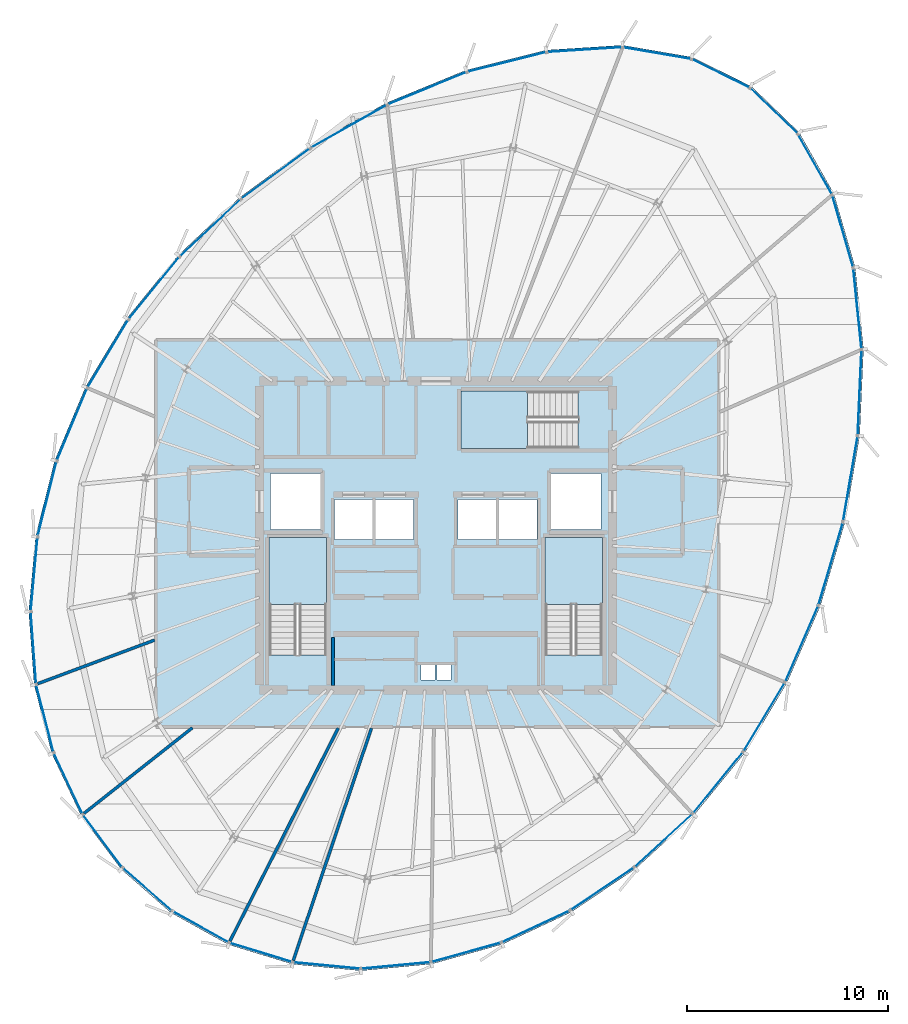
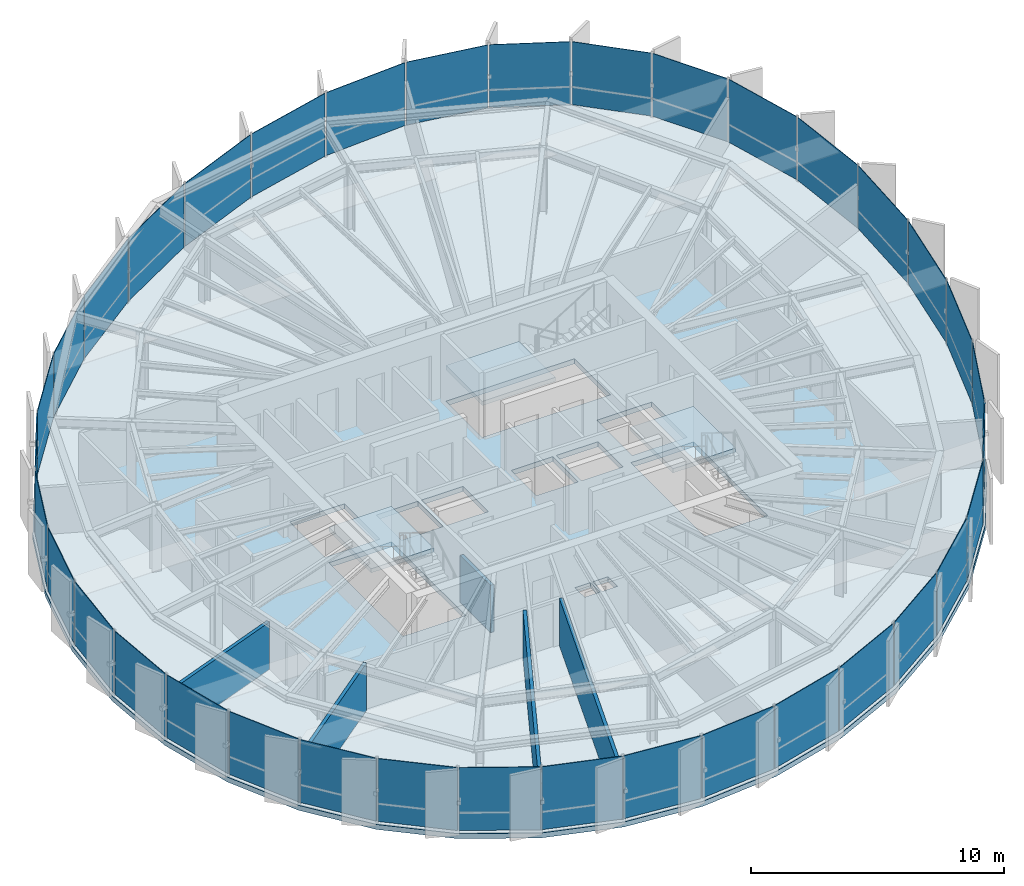
# One storey, part 26 of 33: 36 plates, 5 walls, 4 slabs, 9 elements without a shape of their own.
"""IFC4 building model written with IfcOpenShell, lengths in metres."""

from ifc_helpers import new_model, si_unit, direction, frame, frame_2d, origin, origin_2d, place, context, subcontext, project, spatial, polyline, rectangle, outline, extrude, source, transform, mapped, material, layer, layer_set, type_object, element, aggregate, save


model = new_model("IFC4")

# Units and contexts
model_context = context("Model", 3, precision=1e-05, world=origin(), true_north=direction((0.0, 1.0)))
body_context = subcontext(model_context, "Body", "Model", "MODEL_VIEW")
ifc_project = project(units=[si_unit("LENGTHUNIT", "METRE"), si_unit("AREAUNIT", "SQUARE_METRE"), si_unit("VOLUMEUNIT", "CUBIC_METRE"), si_unit("PLANEANGLEUNIT", "RADIAN"), si_unit("MASSUNIT", "GRAM", prefix="KILO"), si_unit("THERMODYNAMICTEMPERATUREUNIT", "KELVIN")], contexts=[model_context])

# Site, building, storey
site_placement = place(None, origin())
site = spatial("IfcSite", under=ifc_project, at=site_placement, CompositionType="ELEMENT")
building_placement = place(site_placement, origin())
building = spatial("IfcBuilding", under=site, at=building_placement, Name="Kethvar Cultural Tower", CompositionType="ELEMENT")
storey_placement = place(building_placement, frame((0.0, 0.0, 256.0)))
storey = spatial("IfcBuildingStorey", under=building, at=storey_placement, Name="L67", CompositionType="ELEMENT", Elevation=256.0)

# Stair, slab
ifc_material_1 = material(Name="Concrete C40/50", Category="concrete")
stair_type = type_object("IfcStairType", Name="ST-DOGLEG-135", PredefinedType="HALF_TURN_STAIR", material=ifc_material_1)
stair_1_placement = place(storey_placement, origin())
stair_1 = element("IfcStair", 1, at=stair_1_placement, inside=storey, type_object=stair_type, Name="L67 Core Exit Stair 1", PredefinedType="HALF_TURN_STAIR")
ifc_layer_1 = layer(ifc_material_1, 0.199951171875, Name="Concrete C40/50", Category="concrete")
ifc_layer_set_1 = layer_set([ifc_layer_1], Name="Concrete C40/50 (200 mm)")
slab_type_1 = type_object("IfcSlabType", Name="SL-STAIR-LANDING-200", PredefinedType="LANDING", material=ifc_layer_set_1)
slab_1_placement = place(storey_placement, frame((0.0, 0.0, 1.52490234375)))
slab_1 = element("IfcSlab", 2, at=slab_1_placement, type_object=slab_type_1, Name="ST-01 landing 1", PredefinedType="LANDING", context=body_context, shape_type="SweptSolid", body=[
    extrude(outline(polyline([(41.35009765625, 24.3701171875), (41.35009765625, 27.699951171875), (38.489990234375, 27.699951171875), (38.489990234375, 24.3701171875), (41.35009765625, 24.3701171875)])), origin(), (0.0, 0.0, 1.0), 0.2001953125),
])
aggregate(stair_1, [slab_1])

stair_2_placement = place(storey_placement, origin())
stair_2 = element("IfcStair", 3, at=stair_2_placement, inside=storey, type_object=stair_type, Name="L67 Core Exit Stair 2", PredefinedType="HALF_TURN_STAIR")
slab_2_placement = place(storey_placement, frame((0.0, 0.0, 1.52490234375)))
slab_2 = element("IfcSlab", 4, at=slab_2_placement, type_object=slab_type_1, Name="ST-02 landing 1", PredefinedType="LANDING", context=body_context, shape_type="SweptSolid", body=[
    extrude(outline(polyline([(55.110107421875, 24.3701171875), (55.110107421875, 27.699951171875), (52.25, 27.699951171875), (52.25, 24.3701171875), (55.110107421875, 24.3701171875)])), origin(), (0.0, 0.0, 1.0), 0.2001953125),
])
aggregate(stair_2, [slab_2])

stair_3_placement = place(storey_placement, origin())
stair_3 = element("IfcStair", 5, at=stair_3_placement, inside=storey, type_object=stair_type, Name="L67 Core Exit Stair 3", PredefinedType="HALF_TURN_STAIR")
slab_3_placement = place(storey_placement, frame((0.0, 0.0, 1.52490234375)))
slab_3 = element("IfcSlab", 6, at=slab_3_placement, type_object=slab_type_1, Name="ST-03 landing 1", PredefinedType="LANDING", context=body_context, shape_type="SweptSolid", body=[
    extrude(outline(polyline([(51.3798828125, 35.010009765625), (48.050048828125, 35.010009765625), (48.050048828125, 32.14990234375), (51.3798828125, 32.14990234375), (51.3798828125, 35.010009765625)])), origin(), (0.0, 0.0, 1.0), 0.2001953125),
])
aggregate(stair_3, [slab_3])

# Slab
ifc_layer_2 = layer(ifc_material_1, 0.239990234375, Name="Concrete C40/50", Category="concrete")
ifc_layer_set_2 = layer_set([ifc_layer_2], Name="Concrete C40/50 (240 mm)")
slab_type_2 = type_object("IfcSlabType", Name="SL-TOW-240", PredefinedType="FLOOR", material=ifc_layer_set_2)
slab_4_placement = place(storey_placement, frame((0.0, 0.0, -0.239990234375)))
element("IfcSlab", 7, at=slab_4_placement, inside=storey, type_object=slab_type_2, Name="L67 Structural Floor Slab", PredefinedType="FLOOR", context=body_context, shape_type="SweptSolid", body=[
    extrude(outline(polyline([(62.546142578125, 50.20458984375), (59.573486328125, 51.6650390625), (56.1123046875, 52.257568359375), (52.3037109375, 52.014892578125), (48.314697265625, 51.018310546875), (44.32421875, 49.37939453125), (40.5048828125, 47.221435546875), (37.00732421875, 44.65869140625), (33.9453125, 41.7802734375), (31.384521484375, 38.63427734375), (29.323486328125, 35.204345703125), (27.7939453125, 31.54931640625), (26.841552734375, 27.780517578125), (26.495849609375, 24.01220703125), (26.766845703125, 20.35888671875), (27.646728515625, 16.931884765625), (29.1083984375, 13.8349609375), (31.107666015625, 11.162353515625), (33.583740234375, 8.995361328125), (36.46142578125, 7.399658203125), (39.6533203125, 6.423828125), (43.062255859375, 6.097412109375), (46.584716796875, 6.4306640625), (50.114013671875, 7.4130859375), (53.542236328125, 9.014892578125), (56.765625, 11.1875), (59.6865234375, 13.864990234375), (62.215576171875, 16.9658203125), (64.30810546875, 20.44091796875), (65.979248046875, 24.297119140625), (67.20556640625, 28.4560546875), (67.9423828125, 32.780517578125), (68.132568359375, 37.090087890625), (67.71923828125, 41.1806640625), (66.6572265625, 44.846435546875), (64.92724609375, 47.90234375), (62.546142578125, 50.20458984375)]), holes=[polyline([(38.489990234375, 21.85009765625), (38.489990234375, 27.699951171875), (41.35009765625, 27.699951171875), (41.35009765625, 21.85009765625), (38.489990234375, 21.85009765625)]), polyline([(52.25, 21.85009765625), (52.25, 27.699951171875), (55.110107421875, 27.699951171875), (55.110107421875, 21.85009765625), (52.25, 21.85009765625)]), polyline([(53.89990234375, 32.14990234375), (48.050048828125, 32.14990234375), (48.050048828125, 35.010009765625), (53.89990234375, 35.010009765625), (53.89990234375, 32.14990234375)]), polyline([(41.75, 29.60009765625), (43.64990234375, 29.60009765625), (43.64990234375, 27.60009765625), (41.75, 27.60009765625), (41.75, 29.60009765625)]), polyline([(43.800048828125, 29.60009765625), (45.699951171875, 29.60009765625), (45.699951171875, 27.60009765625), (43.800048828125, 27.60009765625), (43.800048828125, 29.60009765625)]), polyline([(47.89990234375, 29.60009765625), (49.800048828125, 29.60009765625), (49.800048828125, 27.60009765625), (47.89990234375, 27.60009765625), (47.89990234375, 29.60009765625)]), polyline([(49.949951171875, 29.60009765625), (51.85009765625, 29.60009765625), (51.85009765625, 27.60009765625), (49.949951171875, 27.60009765625), (49.949951171875, 29.60009765625)]), polyline([(38.550048828125, 30.89990234375), (41.050048828125, 30.89990234375), (41.050048828125, 28.10009765625), (38.550048828125, 28.10009765625), (38.550048828125, 30.89990234375)]), polyline([(52.550048828125, 30.89990234375), (55.050048828125, 30.89990234375), (55.050048828125, 28.10009765625), (52.550048828125, 28.10009765625), (52.550048828125, 30.89990234375)]), polyline([(46.050048828125, 21.35009765625), (46.75, 21.35009765625), (46.75, 20.60009765625), (46.050048828125, 20.60009765625), (46.050048828125, 21.35009765625)]), polyline([(46.85009765625, 21.35009765625), (47.550048828125, 21.35009765625), (47.550048828125, 20.60009765625), (46.85009765625, 20.60009765625), (46.85009765625, 21.35009765625)])]), origin(), (0.0, 0.0, 1.0), 0.239990234375),
])

# Curtain wall, plate
ifc_material_2 = material(Name="Aluminium 6063-T6", Category="aluminium")
ifc_layer_3 = layer(ifc_material_2, 0.179931640625, Name="Aluminium 6063-T6", Category="aluminium")
ifc_layer_set_3 = layer_set([ifc_layer_3], Name="Aluminium 6063-T6 (180 mm)")
curtain_wall_type = type_object("IfcCurtainWallType", Name="CW-SYS-05-Z56", PredefinedType="NOTDEFINED", material=ifc_layer_set_3)
curtain_wall_1_placement = place(storey_placement, origin())
curtain_wall_1 = element("IfcCurtainWall", 8, at=curtain_wall_1_placement, inside=storey, type_object=curtain_wall_type, Name="L67 Curtain Wall Run 01", PredefinedType="NOTDEFINED")
ifc_material_3 = material(Name="Insulated Low-E Solar Glass", Category="glass")
ifc_layer_4 = layer(ifc_material_3, 0.028076171875, Name="Insulated Low-E Solar Glass", Category="glass")
ifc_layer_set_4 = layer_set([ifc_layer_4], Name="Insulated Low-E Solar Glass (28 mm)")
plate_type = type_object("IfcPlateType", Name="CW-SYS-05-Z56-PNL", PredefinedType="CURTAIN_PANEL", material=ifc_layer_set_4)
shared_shape_1 = source(origin(), body_context, "Body", "SweptSolid", [
    extrude(rectangle(XDim=4.0322265625, YDim=0.028076171875, at=origin_2d()), origin(), (0.0, 0.0, 1.0), 3.030029296875),
])
plate_1_placement = place(storey_placement, frame((50.33349609375, 51.419677734375, 0.08984375), z_axis=(0.0, 0.0, 1.0), x_axis=(-0.97017315432, -0.24241297539, 0.0)))
plate_1 = element("IfcPlate", 9, at=plate_1_placement, type_object=plate_type, Name="CW-L67-R01 Vision Glazing Panel 4", PredefinedType="CURTAIN_PANEL", context=body_context, shape_type="MappedRepresentation", body=[
    mapped(shared_shape_1, transform((0.0, 0.0, 0.0), scale=1.0)),
])

curtain_wall_2_placement = place(storey_placement, origin())
curtain_wall_2 = element("IfcCurtainWall", 10, at=curtain_wall_2_placement, inside=storey, type_object=curtain_wall_type, Name="L67 Curtain Wall Run 06", PredefinedType="NOTDEFINED")
plate_2_placement = place(storey_placement, frame((67.826416015625, 39.125244140625, 0.08984375), z_axis=(0.0, 0.0, 1.0), x_axis=(-0.100552729883, 0.994931730579, 0.0)))
plate_2 = element("IfcPlate", 11, at=plate_2_placement, type_object=plate_type, Name="CW-L67-R06 Vision Glazing Panel 3", PredefinedType="CURTAIN_PANEL", context=body_context, shape_type="MappedRepresentation", body=[
    mapped(shared_shape_1, transform((0.0, 0.0, 0.0), scale=1.0)),
])

curtain_wall_3_placement = place(storey_placement, origin())
curtain_wall_3 = element("IfcCurtainWall", 12, at=curtain_wall_3_placement, inside=storey, type_object=curtain_wall_type, Name="L67 Curtain Wall Run 02", PredefinedType="NOTDEFINED")
shared_shape_2 = source(origin(), body_context, "Body", "SweptSolid", [
    extrude(rectangle(XDim=4.257080078125, YDim=0.028076171875, at=origin_2d()), origin(), (0.0, 0.0, 1.0), 3.030029296875),
])
plate_3_placement = place(storey_placement, frame((38.815185546875, 45.859375, 0.08984375), z_axis=(0.0, 0.0, 1.0), x_axis=(-0.806640645628, -0.591042188698, 0.0)))
plate_3 = element("IfcPlate", 13, at=plate_3_placement, type_object=plate_type, Name="CW-L67-R02 Vision Glazing Panel 1", PredefinedType="CURTAIN_PANEL", context=body_context, shape_type="MappedRepresentation", body=[
    mapped(shared_shape_2, transform((0.0, 0.0, 0.0), scale=1.0)),
])

# Plate
shared_shape_3 = source(origin(), body_context, "Body", "SweptSolid", [
    extrude(rectangle(XDim=4.3076171875, YDim=0.028076171875, at=origin_2d()), origin(), (0.0, 0.0, 1.0), 3.030029296875),
])
plate_4_placement = place(storey_placement, frame((42.4638671875, 48.21337890625, 0.08984375), z_axis=(0.0, 0.0, 1.0), x_axis=(-0.870639167174, -0.491922189561, 0.0)))
plate_4 = element("IfcPlate", 14, at=plate_4_placement, type_object=plate_type, Name="CW-L67-R01 Vision Glazing Panel 6", PredefinedType="CURTAIN_PANEL", context=body_context, shape_type="MappedRepresentation", body=[
    mapped(shared_shape_3, transform((0.0, 0.0, 0.0), scale=1.0)),
])

plate_5_placement = place(storey_placement, frame((67.475341796875, 30.635009765625, 0.08984375), z_axis=(0.0, 0.0, 1.0), x_axis=(0.167938832644, 0.985797417571, 0.0)))
plate_5 = element("IfcPlate", 15, at=plate_5_placement, type_object=plate_type, Name="CW-L67-R06 Vision Glazing Panel 1", PredefinedType="CURTAIN_PANEL", context=body_context, shape_type="MappedRepresentation", body=[
    mapped(shared_shape_3, transform((0.0, 0.0, 0.0), scale=1.0)),
])

shared_shape_4 = source(origin(), body_context, "Body", "SweptSolid", [
    extrude(rectangle(XDim=3.23291015625, YDim=0.028076171875, at=origin_2d()), origin(), (0.0, 0.0, 1.0), 3.030029296875),
])
plate_6_placement = place(storey_placement, frame((61.015625, 50.84521484375, 0.08984375), z_axis=(0.0, 0.0, 1.0), x_axis=(-0.897535598853, 0.440942001619, 0.0)))
plate_6 = element("IfcPlate", 16, at=plate_6_placement, type_object=plate_type, Name="CW-L67-R01 Vision Glazing Panel 1", PredefinedType="CURTAIN_PANEL", context=body_context, shape_type="MappedRepresentation", body=[
    mapped(shared_shape_4, transform((0.0, 0.0, 0.0), scale=1.0)),
])

plate_7_placement = place(storey_placement, frame((63.667236328125, 48.9814453125, 0.08984375), z_axis=(0.0, 0.0, 1.0), x_axis=(-0.718903191649, 0.695110207836, 0.0)))
plate_7 = element("IfcPlate", 17, at=plate_7_placement, type_object=plate_type, Name="CW-L67-R06 Vision Glazing Panel 6", PredefinedType="CURTAIN_PANEL", context=body_context, shape_type="MappedRepresentation", body=[
    mapped(shared_shape_4, transform((0.0, 0.0, 0.0), scale=1.0)),
])

shared_shape_5 = source(origin(), body_context, "Body", "SweptSolid", [
    extrude(rectangle(XDim=3.432373046875, YDim=0.028076171875, at=origin_2d()), origin(), (0.0, 0.0, 1.0), 3.030029296875),
])
plate_8_placement = place(storey_placement, frame((57.826171875, 51.86279296875, 0.08984375), z_axis=(0.0, 0.0, 1.0), x_axis=(-0.985656379545, 0.168764633328, 0.0)))
plate_8 = element("IfcPlate", 18, at=plate_8_placement, type_object=plate_type, Name="CW-L67-R01 Vision Glazing Panel 2", PredefinedType="CURTAIN_PANEL", context=body_context, shape_type="MappedRepresentation", body=[
    mapped(shared_shape_5, transform((0.0, 0.0, 0.0), scale=1.0)),
])

plate_9_placement = place(storey_placement, frame((65.705322265625, 46.3251953125, 0.08984375), z_axis=(0.0, 0.0, 1.0), x_axis=(-0.492636213417, 0.870235348185, 0.0)))
plate_9 = element("IfcPlate", 19, at=plate_9_placement, type_object=plate_type, Name="CW-L67-R06 Vision Glazing Panel 5", PredefinedType="CURTAIN_PANEL", context=body_context, shape_type="MappedRepresentation", body=[
    mapped(shared_shape_5, transform((0.0, 0.0, 0.0), scale=1.0)),
])

shared_shape_6 = source(origin(), body_context, "Body", "SweptSolid", [
    extrude(rectangle(XDim=3.7373046875, YDim=0.028076171875, at=origin_2d()), origin(), (0.0, 0.0, 1.0), 3.030029296875),
])
plate_10_placement = place(storey_placement, frame((54.21435546875, 52.03662109375, 0.08984375), z_axis=(0.0, 0.0, 1.0), x_axis=(-0.997977105058, -0.063574348442, 0.0)))
plate_10 = element("IfcPlate", 20, at=plate_10_placement, type_object=plate_type, Name="CW-L67-R01 Vision Glazing Panel 3", PredefinedType="CURTAIN_PANEL", context=body_context, shape_type="MappedRepresentation", body=[
    mapped(shared_shape_6, transform((0.0, 0.0, 0.0), scale=1.0)),
])

plate_11_placement = place(storey_placement, frame((67.09228515625, 42.985595703125, 0.08984375), z_axis=(0.0, 0.0, 1.0), x_axis=(-0.278270335214, 0.960502795696, 0.0)))
plate_11 = element("IfcPlate", 21, at=plate_11_placement, type_object=plate_type, Name="CW-L67-R06 Vision Glazing Panel 4", PredefinedType="CURTAIN_PANEL", context=body_context, shape_type="MappedRepresentation", body=[
    mapped(shared_shape_6, transform((0.0, 0.0, 0.0), scale=1.0)),
])

shared_shape_7 = source(origin(), body_context, "Body", "SweptSolid", [
    extrude(rectangle(XDim=4.23486328125, YDim=0.028076171875, at=origin_2d()), origin(), (0.0, 0.0, 1.0), 3.030029296875),
])
plate_12_placement = place(storey_placement, frame((46.357421875, 50.1064453125, 0.08984375), z_axis=(0.0, 0.0, 1.0), x_axis=(-0.925024170652, -0.379908256964, 0.0)))
plate_12 = element("IfcPlate", 22, at=plate_12_placement, type_object=plate_type, Name="CW-L67-R01 Vision Glazing Panel 5", PredefinedType="CURTAIN_PANEL", context=body_context, shape_type="MappedRepresentation", body=[
    mapped(shared_shape_7, transform((0.0, 0.0, 0.0), scale=1.0)),
])

aggregate(curtain_wall_1, [plate_6, plate_8, plate_10, plate_1, plate_12, plate_4])

shared_shape_8 = source(origin(), body_context, "Body", "SweptSolid", [
    extrude(rectangle(XDim=4.123291015625, YDim=0.028076171875, at=origin_2d()), origin(), (0.0, 0.0, 1.0), 3.030029296875),
])
plate_13_placement = place(storey_placement, frame((35.544921875, 43.146728515625, 0.08984375), z_axis=(0.0, 0.0, 1.0), x_axis=(-0.728610099486, -0.684928699156, 0.0)))
plate_13 = element("IfcPlate", 23, at=plate_13_placement, type_object=plate_type, Name="CW-L67-R02 Vision Glazing Panel 2", PredefinedType="CURTAIN_PANEL", context=body_context, shape_type="MappedRepresentation", body=[
    mapped(shared_shape_8, transform((0.0, 0.0, 0.0), scale=1.0)),
])

# Curtain wall, plate
curtain_wall_4_placement = place(storey_placement, origin())
curtain_wall_4 = element("IfcCurtainWall", 24, at=curtain_wall_4_placement, inside=storey, type_object=curtain_wall_type, Name="L67 Curtain Wall Run 05", PredefinedType="NOTDEFINED")
plate_14_placement = place(storey_placement, frame((65.052001953125, 22.40869140625, 0.08984375), z_axis=(0.0, 0.0, 1.0), x_axis=(0.397628371371, 0.91754655374, 0.0)))
plate_14 = element("IfcPlate", 25, at=plate_14_placement, type_object=plate_type, Name="CW-L67-R05 Vision Glazing Panel 5", PredefinedType="CURTAIN_PANEL", context=body_context, shape_type="MappedRepresentation", body=[
    mapped(shared_shape_8, transform((0.0, 0.0, 0.0), scale=1.0)),
])

# Plate
shared_shape_9 = source(origin(), body_context, "Body", "SweptSolid", [
    extrude(rectangle(XDim=3.977294921875, YDim=0.028076171875, at=origin_2d()), origin(), (0.0, 0.0, 1.0), 3.030029296875),
])
plate_15_placement = place(storey_placement, frame((32.742431640625, 40.144287109375, 0.08984375), z_axis=(0.0, 0.0, 1.0), x_axis=(-0.631298654095, -0.775539818022, 0.0)))
plate_15 = element("IfcPlate", 26, at=plate_15_placement, type_object=plate_type, Name="CW-L67-R02 Vision Glazing Panel 3", PredefinedType="CURTAIN_PANEL", context=body_context, shape_type="MappedRepresentation", body=[
    mapped(shared_shape_9, transform((0.0, 0.0, 0.0), scale=1.0)),
])

shared_shape_10 = source(origin(), body_context, "Body", "SweptSolid", [
    extrude(rectangle(XDim=3.92236328125, YDim=0.028076171875, at=origin_2d()), origin(), (0.0, 0.0, 1.0), 3.030029296875),
])
plate_16_placement = place(storey_placement, frame((30.439697265625, 36.867919921875, 0.08984375), z_axis=(0.0, 0.0, 1.0), x_axis=(-0.515008153813, -0.8571852784, 0.0)))
plate_16 = element("IfcPlate", 27, at=plate_16_placement, type_object=plate_type, Name="CW-L67-R02 Vision Glazing Panel 4", PredefinedType="CURTAIN_PANEL", context=body_context, shape_type="MappedRepresentation", body=[
    mapped(shared_shape_10, transform((0.0, 0.0, 0.0), scale=1.0)),
])

shared_shape_11 = source(origin(), body_context, "Body", "SweptSolid", [
    extrude(rectangle(XDim=3.883056640625, YDim=0.028076171875, at=origin_2d()), origin(), (0.0, 0.0, 1.0), 3.030029296875),
])
plate_17_placement = place(storey_placement, frame((28.65087890625, 33.338134765625, 0.08984375), z_axis=(0.0, 0.0, 1.0), x_axis=(-0.386067049717, -0.922470722095, 0.0)))
plate_17 = element("IfcPlate", 28, at=plate_17_placement, type_object=plate_type, Name="CW-L67-R02 Vision Glazing Panel 5", PredefinedType="CURTAIN_PANEL", context=body_context, shape_type="MappedRepresentation", body=[
    mapped(shared_shape_11, transform((0.0, 0.0, 0.0), scale=1.0)),
])

plate_18_placement = place(storey_placement, frame((58.158447265625, 12.599853515625, 0.08984375), z_axis=(0.0, 0.0, 1.0), x_axis=(0.737159412846, 0.675718876495, 0.0)))
plate_18 = element("IfcPlate", 29, at=plate_18_placement, type_object=plate_type, Name="CW-L67-R05 Vision Glazing Panel 2", PredefinedType="CURTAIN_PANEL", context=body_context, shape_type="MappedRepresentation", body=[
    mapped(shared_shape_11, transform((0.0, 0.0, 0.0), scale=1.0)),
])

shared_shape_12 = source(origin(), body_context, "Body", "SweptSolid", [
    extrude(rectangle(XDim=3.80810546875, YDim=0.028076171875, at=origin_2d()), origin(), (0.0, 0.0, 1.0), 3.030029296875),
])
plate_19_placement = place(storey_placement, frame((27.414794921875, 29.640380859375, 0.08984375), z_axis=(0.0, 0.0, 1.0), x_axis=(-0.244968970675, -0.969530919263, 0.0)))
plate_19 = element("IfcPlate", 30, at=plate_19_placement, type_object=plate_type, Name="CW-L67-R02 Vision Glazing Panel 6", PredefinedType="CURTAIN_PANEL", context=body_context, shape_type="MappedRepresentation", body=[
    mapped(shared_shape_12, transform((0.0, 0.0, 0.0), scale=1.0)),
])

aggregate(curtain_wall_3, [plate_3, plate_13, plate_15, plate_16, plate_17, plate_19])

plate_20_placement = place(storey_placement, frame((55.09814453125, 10.18408203125, 0.08984375), z_axis=(0.0, 0.0, 1.0), x_axis=(0.829242471769, 0.558889007777, 0.0)))
plate_20 = element("IfcPlate", 31, at=plate_20_placement, type_object=plate_type, Name="CW-L67-R05 Vision Glazing Panel 1", PredefinedType="CURTAIN_PANEL", context=body_context, shape_type="MappedRepresentation", body=[
    mapped(shared_shape_12, transform((0.0, 0.0, 0.0), scale=1.0)),
])

# Curtain wall, plate
curtain_wall_5_placement = place(storey_placement, origin())
curtain_wall_5 = element("IfcCurtainWall", 32, at=curtain_wall_5_placement, inside=storey, type_object=curtain_wall_type, Name="L67 Curtain Wall Run 03", PredefinedType="NOTDEFINED")
shared_shape_13 = source(origin(), body_context, "Body", "SweptSolid", [
    extrude(rectangle(XDim=3.704833984375, YDim=0.028076171875, at=origin_2d()), origin(), (0.0, 0.0, 1.0), 3.030029296875),
])
plate_21_placement = place(storey_placement, frame((26.768310546875, 25.88720703125, 0.08984375), z_axis=(0.0, 0.0, 1.0), x_axis=(-0.091379957458, -0.995816099174, 0.0)))
plate_21 = element("IfcPlate", 33, at=plate_21_placement, type_object=plate_type, Name="CW-L67-R03 Vision Glazing Panel 1", PredefinedType="CURTAIN_PANEL", context=body_context, shape_type="MappedRepresentation", body=[
    mapped(shared_shape_13, transform((0.0, 0.0, 0.0), scale=1.0)),
])

curtain_wall_6_placement = place(storey_placement, origin())
curtain_wall_6 = element("IfcCurtainWall", 34, at=curtain_wall_6_placement, inside=storey, type_object=curtain_wall_type, Name="L67 Curtain Wall Run 04", PredefinedType="NOTDEFINED")
plate_22_placement = place(storey_placement, frame((51.78564453125, 8.304443359375, 0.08984375), z_axis=(0.0, 0.0, 1.0), x_axis=(0.905975583936, 0.423329943793, 0.0)))
plate_22 = element("IfcPlate", 35, at=plate_22_placement, type_object=plate_type, Name="CW-L67-R04 Vision Glazing Panel 6", PredefinedType="CURTAIN_PANEL", context=body_context, shape_type="MappedRepresentation", body=[
    mapped(shared_shape_13, transform((0.0, 0.0, 0.0), scale=1.0)),
])

# Plate
shared_shape_14 = source(origin(), body_context, "Body", "SweptSolid", [
    extrude(rectangle(XDim=3.583984375, YDim=0.028076171875, at=origin_2d()), origin(), (0.0, 0.0, 1.0), 3.030029296875),
])
plate_23_placement = place(storey_placement, frame((26.731201171875, 22.19287109375, 0.08984375), z_axis=(0.0, 0.0, 1.0), x_axis=(0.074004057994, -0.997257940254, 0.0)))
plate_23 = element("IfcPlate", 36, at=plate_23_placement, type_object=plate_type, Name="CW-L67-R03 Vision Glazing Panel 2", PredefinedType="CURTAIN_PANEL", context=body_context, shape_type="MappedRepresentation", body=[
    mapped(shared_shape_14, transform((0.0, 0.0, 0.0), scale=1.0)),
])

plate_24_placement = place(storey_placement, frame((48.322509765625, 7.018310546875, 0.08984375), z_axis=(0.0, 0.0, 1.0), x_axis=(0.963368798367, 0.268180085639, 0.0)))
plate_24 = element("IfcPlate", 37, at=plate_24_placement, type_object=plate_type, Name="CW-L67-R04 Vision Glazing Panel 5", PredefinedType="CURTAIN_PANEL", context=body_context, shape_type="MappedRepresentation", body=[
    mapped(shared_shape_14, transform((0.0, 0.0, 0.0), scale=1.0)),
])

shared_shape_15 = source(origin(), body_context, "Body", "SweptSolid", [
    extrude(rectangle(XDim=3.458984375, YDim=0.028076171875, at=origin_2d()), origin(), (0.0, 0.0, 1.0), 3.030029296875),
])
plate_25_placement = place(storey_placement, frame((27.3037109375, 18.670166015625, 0.08984375), z_axis=(0.0, 0.0, 1.0), x_axis=(0.248656077083, -0.968591841453, 0.0)))
plate_25 = element("IfcPlate", 38, at=plate_25_placement, type_object=plate_type, Name="CW-L67-R03 Vision Glazing Panel 3", PredefinedType="CURTAIN_PANEL", context=body_context, shape_type="MappedRepresentation", body=[
    mapped(shared_shape_15, transform((0.0, 0.0, 0.0), scale=1.0)),
])

plate_26_placement = place(storey_placement, frame((44.814208984375, 6.363525390625, 0.08984375), z_axis=(0.0, 0.0, 1.0), x_axis=(0.995558678997, 0.09414306493, 0.0)))
plate_26 = element("IfcPlate", 39, at=plate_26_placement, type_object=plate_type, Name="CW-L67-R04 Vision Glazing Panel 4", PredefinedType="CURTAIN_PANEL", context=body_context, shape_type="MappedRepresentation", body=[
    mapped(shared_shape_15, transform((0.0, 0.0, 0.0), scale=1.0)),
])

shared_shape_16 = source(origin(), body_context, "Body", "SweptSolid", [
    extrude(rectangle(XDim=3.34521484375, YDim=0.028076171875, at=origin_2d()), origin(), (0.0, 0.0, 1.0), 3.030029296875),
])
plate_27_placement = place(storey_placement, frame((28.468017578125, 15.426025390625, 0.08984375), z_axis=(0.0, 0.0, 1.0), x_axis=(0.426837078365, -0.904328540152, 0.0)))
plate_27 = element("IfcPlate", 40, at=plate_27_placement, type_object=plate_type, Name="CW-L67-R03 Vision Glazing Panel 4", PredefinedType="CURTAIN_PANEL", context=body_context, shape_type="MappedRepresentation", body=[
    mapped(shared_shape_16, transform((0.0, 0.0, 0.0), scale=1.0)),
])

shared_shape_17 = source(origin(), body_context, "Body", "SweptSolid", [
    extrude(rectangle(XDim=3.258544921875, YDim=0.028076171875, at=origin_2d()), origin(), (0.0, 0.0, 1.0), 3.030029296875),
])
plate_28_placement = place(storey_placement, frame((30.188232421875, 12.55859375, 0.08984375), z_axis=(0.0, 0.0, 1.0), x_axis=(0.599009623026, -0.800741825761, 0.0)))
plate_28 = element("IfcPlate", 41, at=plate_28_placement, type_object=plate_type, Name="CW-L67-R03 Vision Glazing Panel 5", PredefinedType="CURTAIN_PANEL", context=body_context, shape_type="MappedRepresentation", body=[
    mapped(shared_shape_17, transform((0.0, 0.0, 0.0), scale=1.0)),
])

plate_29_placement = place(storey_placement, frame((38.086669921875, 7.00732421875, 0.08984375), z_axis=(0.0, 0.0, 1.0), x_axis=(0.956309858666, -0.292355014012, 0.0)))
plate_29 = element("IfcPlate", 42, at=plate_29_placement, type_object=plate_type, Name="CW-L67-R04 Vision Glazing Panel 2", PredefinedType="CURTAIN_PANEL", context=body_context, shape_type="MappedRepresentation", body=[
    mapped(shared_shape_17, transform((0.0, 0.0, 0.0), scale=1.0)),
])

shared_shape_18 = source(origin(), body_context, "Body", "SweptSolid", [
    extrude(rectangle(XDim=3.211181640625, YDim=0.028076171875, at=origin_2d()), origin(), (0.0, 0.0, 1.0), 3.030029296875),
])
plate_30_placement = place(storey_placement, frame((32.41162109375, 10.154052734375, 0.08984375), z_axis=(0.0, 0.0, 1.0), x_axis=(0.752518366311, -0.658571262935, 0.0)))
plate_30 = element("IfcPlate", 43, at=plate_30_placement, type_object=plate_type, Name="CW-L67-R03 Vision Glazing Panel 6", PredefinedType="CURTAIN_PANEL", context=body_context, shape_type="MappedRepresentation", body=[
    mapped(shared_shape_18, transform((0.0, 0.0, 0.0), scale=1.0)),
])

aggregate(curtain_wall_5, [plate_21, plate_23, plate_25, plate_27, plate_28, plate_30])

shared_shape_19 = source(origin(), body_context, "Body", "SweptSolid", [
    extrude(rectangle(XDim=3.21142578125, YDim=0.028076171875, at=origin_2d()), origin(), (0.0, 0.0, 1.0), 3.030029296875),
])
plate_31_placement = place(storey_placement, frame((35.0712890625, 8.284912109375, 0.08984375), z_axis=(0.0, 0.0, 1.0), x_axis=(0.874543542632, -0.484946999207, 0.0)))
plate_31 = element("IfcPlate", 44, at=plate_31_placement, type_object=plate_type, Name="CW-L67-R04 Vision Glazing Panel 1", PredefinedType="CURTAIN_PANEL", context=body_context, shape_type="MappedRepresentation", body=[
    mapped(shared_shape_19, transform((0.0, 0.0, 0.0), scale=1.0)),
])

shared_shape_20 = source(origin(), body_context, "Body", "SweptSolid", [
    extrude(rectangle(XDim=3.345458984375, YDim=0.028076171875, at=origin_2d()), origin(), (0.0, 0.0, 1.0), 3.030029296875),
])
plate_32_placement = place(storey_placement, frame((41.3671875, 6.360107421875, 0.08984375), z_axis=(0.0, 0.0, 1.0), x_axis=(0.995449573485, -0.095289803488, 0.0)))
plate_32 = element("IfcPlate", 45, at=plate_32_placement, type_object=plate_type, Name="CW-L67-R04 Vision Glazing Panel 3", PredefinedType="CURTAIN_PANEL", context=body_context, shape_type="MappedRepresentation", body=[
    mapped(shared_shape_20, transform((0.0, 0.0, 0.0), scale=1.0)),
])

aggregate(curtain_wall_6, [plate_31, plate_29, plate_32, plate_26, plate_24, plate_22])

shared_shape_21 = source(origin(), body_context, "Body", "SweptSolid", [
    extrude(rectangle(XDim=3.922119140625, YDim=0.028076171875, at=origin_2d()), origin(), (0.0, 0.0, 1.0), 3.030029296875),
])
plate_33_placement = place(storey_placement, frame((60.87353515625, 15.478515625, 0.08984375), z_axis=(0.0, 0.0, 1.0), x_axis=(0.632056352945, 0.774922426247, 0.0)))
plate_33 = element("IfcPlate", 46, at=plate_33_placement, type_object=plate_type, Name="CW-L67-R05 Vision Glazing Panel 3", PredefinedType="CURTAIN_PANEL", context=body_context, shape_type="MappedRepresentation", body=[
    mapped(shared_shape_21, transform((0.0, 0.0, 0.0), scale=1.0)),
])

shared_shape_22 = source(origin(), body_context, "Body", "SweptSolid", [
    extrude(rectangle(XDim=3.9775390625, YDim=0.028076171875, at=origin_2d()), origin(), (0.0, 0.0, 1.0), 3.030029296875),
])
plate_34_placement = place(storey_placement, frame((63.17626953125, 18.7548828125, 0.08984375), z_axis=(0.0, 0.0, 1.0), x_axis=(0.515845707194, 0.856681508129, 0.0)))
plate_34 = element("IfcPlate", 47, at=plate_34_placement, type_object=plate_type, Name="CW-L67-R05 Vision Glazing Panel 4", PredefinedType="CURTAIN_PANEL", context=body_context, shape_type="MappedRepresentation", body=[
    mapped(shared_shape_22, transform((0.0, 0.0, 0.0), scale=1.0)),
])

shared_shape_23 = source(origin(), body_context, "Body", "SweptSolid", [
    extrude(rectangle(XDim=4.2568359375, YDim=0.028076171875, at=origin_2d()), origin(), (0.0, 0.0, 1.0), 3.030029296875),
])
plate_35_placement = place(storey_placement, frame((66.49658203125, 26.40478515625, 0.08984375), z_axis=(0.0, 0.0, 1.0), x_axis=(0.28284371374, 0.959166009405, 0.0)))
plate_35 = element("IfcPlate", 48, at=plate_35_placement, type_object=plate_type, Name="CW-L67-R05 Vision Glazing Panel 6", PredefinedType="CURTAIN_PANEL", context=body_context, shape_type="MappedRepresentation", body=[
    mapped(shared_shape_23, transform((0.0, 0.0, 0.0), scale=1.0)),
])

aggregate(curtain_wall_4, [plate_20, plate_18, plate_33, plate_34, plate_14, plate_35])

shared_shape_24 = source(origin(), body_context, "Body", "SweptSolid", [
    extrude(rectangle(XDim=4.234619140625, YDim=0.028076171875, at=origin_2d()), origin(), (0.0, 0.0, 1.0), 3.030029296875),
])
plate_36_placement = place(storey_placement, frame((67.9375, 34.939697265625, 0.08984375), z_axis=(0.0, 0.0, 1.0), x_axis=(0.044107609201, 0.999026785832, 0.0)))
plate_36 = element("IfcPlate", 49, at=plate_36_placement, type_object=plate_type, Name="CW-L67-R06 Vision Glazing Panel 2", PredefinedType="CURTAIN_PANEL", context=body_context, shape_type="MappedRepresentation", body=[
    mapped(shared_shape_24, transform((0.0, 0.0, 0.0), scale=1.0)),
])

aggregate(curtain_wall_2, [plate_5, plate_36, plate_2, plate_11, plate_9, plate_7])

# Walls
ifc_material_4 = material(Name="Gypsum Fireboard Partition")
ifc_layer_5 = layer(ifc_material_4, 0.14990234375, Name="Gypsum Fireboard Partition")
ifc_layer_set_5 = layer_set([ifc_layer_5], Name="Gypsum Fireboard Partition (150 mm)")
wall_type_1 = type_object("IfcWallType", Name="WL-FIRE-150", PredefinedType="PARTITIONING", material=ifc_layer_set_5)
wall_1_placement = place(storey_placement, frame((41.679931640625, 20.3349609375, 0.0), z_axis=(0.0, 0.0, 1.0), x_axis=(0.0, 1.0, 0.0)))
element("IfcWall", 50, at=wall_1_placement, inside=storey, type_object=wall_type_1, Name="L67 Reclaimed West Outer Wall", PredefinedType="PARTITIONING", context=body_context, shape_type="SweptSolid", body=[
    extrude(rectangle(XDim=2.39501953125, YDim=0.14990234375, at=frame_2d((1.197509765625, 0.0))), origin(), (0.0, 0.0, 1.0), 2.280029296875),
])
ifc_material_5 = material(Name="Gypsum Acoustic Partition")
ifc_layer_6 = layer(ifc_material_5, 0.14990234375, Name="Gypsum Acoustic Partition")
ifc_layer_set_6 = layer_set([ifc_layer_6], Name="Gypsum Acoustic Partition (150 mm)")
wall_type_2 = type_object("IfcWallType", Name="WL-PART-150", PredefinedType="PARTITIONING", material=ifc_layer_set_6)
wall_2_placement = place(storey_placement, frame((32.775146484375, 22.59033203125, 0.0), z_axis=(0.0, 0.0, 1.0), x_axis=(-0.936863634519, -0.349694910337, 0.0)))
element("IfcWall", 51, at=wall_2_placement, inside=storey, type_object=wall_type_2, Name="L67 Radial Partition Wall 01", PredefinedType="PARTITIONING", context=body_context, shape_type="SweptSolid", body=[
    extrude(rectangle(XDim=6.2197265625, YDim=0.14990234375, at=frame_2d((3.10986328125, 0.0))), origin(), (0.0, 0.0, 1.0), 2.280029296875),
])
wall_3_placement = place(storey_placement, frame((34.662841796875, 18.219482421875, 0.0), z_axis=(0.0, 0.0, 1.0), x_axis=(-0.784696697403, -0.619879902146, 0.0)))
element("IfcWall", 52, at=wall_3_placement, inside=storey, type_object=wall_type_2, Name="L67 Radial Partition Wall 02", PredefinedType="PARTITIONING", context=body_context, shape_type="SweptSolid", body=[
    extrude(rectangle(XDim=6.886474609375, YDim=0.14990234375, at=frame_2d((3.443359375, 0.0))), origin(), (0.0, 0.0, 1.0), 2.280029296875),
])
wall_4_placement = place(storey_placement, frame((41.93359375, 18.19775390625, 0.0), z_axis=(0.0, 0.0, 1.0), x_axis=(-0.453308200727, -0.891353843966, 0.0)))
element("IfcWall", 53, at=wall_4_placement, inside=storey, type_object=wall_type_2, Name="L67 Radial Partition Wall 03", PredefinedType="PARTITIONING", context=body_context, shape_type="SweptSolid", body=[
    extrude(rectangle(XDim=11.9169921875, YDim=0.14990234375, at=frame_2d((5.95849609375, 0.0))), origin(), (0.0, 0.0, 1.0), 2.280029296875),
])
wall_5_placement = place(storey_placement, frame((43.587890625, 18.193115234375, 0.0), z_axis=(0.0, 0.0, 1.0), x_axis=(-0.318803393857, -0.947820867076, 0.0)))
element("IfcWall", 54, at=wall_5_placement, inside=storey, type_object=wall_type_2, Name="L67 Radial Partition Wall 04", PredefinedType="PARTITIONING", context=body_context, shape_type="SweptSolid", body=[
    extrude(rectangle(XDim=12.22216796875, YDim=0.14990234375, at=frame_2d((6.111083984375, 0.0))), origin(), (0.0, 0.0, 1.0), 2.280029296875),
])

save(model, "model.ifc")
